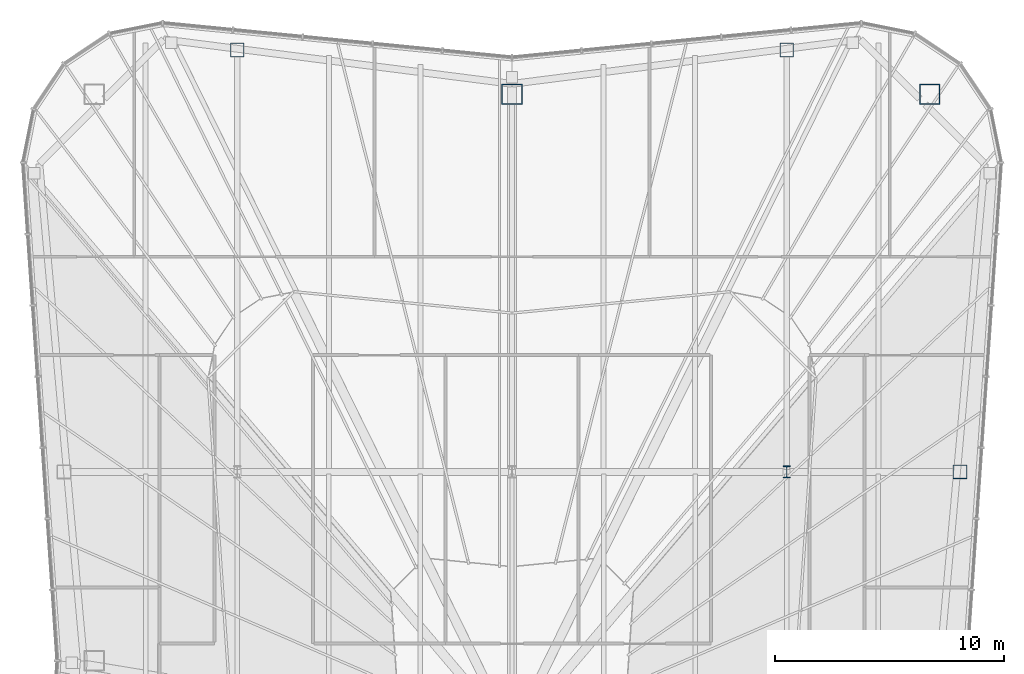
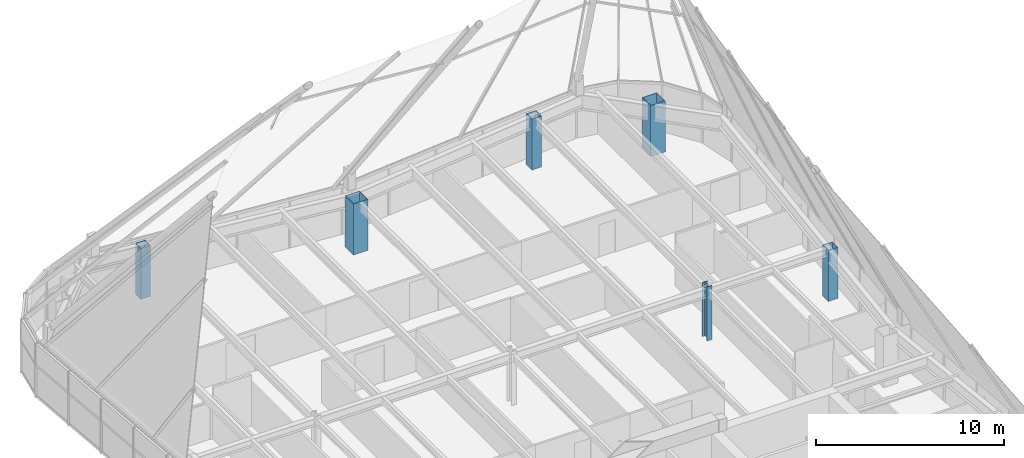
# One storey, part 2 of 28: 6 columns.
"""IFC4 building model written with IfcOpenShell, lengths in metres."""

from ifc_helpers import new_model, si_unit, direction, frame, origin, origin_2d, place, context, subcontext, project, spatial, hollow_rectangle, i_section, extrude, material, material_profile, profile_set, type_object, element, save


model = new_model("IFC4")

# Units and contexts
model_context = context("Model", 3, precision=1e-05, world=origin(), true_north=direction((0.0, 1.0)))
body_context = subcontext(model_context, "Body", "Model", "MODEL_VIEW")
ifc_project = project(units=[si_unit("LENGTHUNIT", "METRE"), si_unit("AREAUNIT", "SQUARE_METRE"), si_unit("VOLUMEUNIT", "CUBIC_METRE"), si_unit("PLANEANGLEUNIT", "RADIAN"), si_unit("MASSUNIT", "GRAM", prefix="KILO")], contexts=[model_context])

# Site, building, storey
site_placement = place(None, origin())
site = spatial("IfcSite", under=ifc_project, at=site_placement, CompositionType="ELEMENT")
building_placement = place(site_placement, origin())
building = spatial("IfcBuilding", under=site, at=building_placement, Name="Verdant Reach Tower", CompositionType="ELEMENT")
storey_placement = place(building_placement, frame((0.0, 0.0, 368.0)))
storey = spatial("IfcBuildingStorey", under=building, at=storey_placement, Name="L83 Crown plant", CompositionType="ELEMENT", Elevation=368.0)

# Columns
ifc_material = material(Name="Steel S460", Category="steel")
ifc_material_profile_1 = material_profile(ifc_material, i_section(OverallWidth=0.305908203125, OverallDepth=0.52392578125, WebThickness=0.012451171875, FlangeThickness=0.0400390625, FilletRadius=0.027099609375, at=origin_2d()), Name="HEM 500")
ifc_profile_set_1 = profile_set([ifc_material_profile_1], Name="Steel S460")
column_type_1 = type_object("IfcColumnType", Name="ST-COL-HEM500", PredefinedType="COLUMN", material=ifc_profile_set_1)
column_placement = place(storey_placement, frame((12.0, 49.5, 0.0), z_axis=(0.0, 0.0, 1.0), x_axis=(1.0, 0.0, 0.0)))
element("IfcColumn", 1, at=column_placement, inside=storey, type_object=column_type_1, Name="Interior column 3, L83 Crown plant", PredefinedType="COLUMN", context=body_context, shape_type="SweptSolid", body=[
    extrude(i_section(OverallWidth=0.305908203125, OverallDepth=0.52392578125, WebThickness=0.012451171875, FlangeThickness=0.0400390625, FilletRadius=0.027099609375, at=origin_2d()), origin(), (0.0, 0.0, 1.0), 3.5),
])
ifc_material_profile_2 = material_profile(ifc_material, hollow_rectangle(XDim=0.60009765625, YDim=0.60009765625, WallThickness=0.02490234375, at=origin_2d()), Name="WB 600x600x25")
ifc_profile_set_2 = profile_set([ifc_material_profile_2], Name="Steel S460")
column_type_2 = type_object("IfcColumnType", Name="ST-COL-WB600x600x25", PredefinedType="COLUMN", material=ifc_profile_set_2)
for number, where, z_axis, x_axis, name in (
    (2, (-12.0, 67.930419921875, 0.0), (0.0, 0.0, 1.0), (1.0, 0.0, 0.0), "Perimeter column north 1, L83 Crown plant"),
    (3, (12.0, 67.930419921875, 0.0), (0.0, 0.0, 1.0), (1.0, 0.0, 0.0), "Perimeter column north 2, L83 Crown plant"),
    (4, (19.569091796875, 49.5, 0.0), (0.0, 0.0, 1.0), (1.0, 0.0, 0.0), "Perimeter column east 2, L83 Crown plant"),
):
    element("IfcColumn", number, at=place(storey_placement, frame(where, z_axis=z_axis, x_axis=x_axis)), inside=storey, type_object=column_type_2, Name=name, PredefinedType="COLUMN", context=body_context, shape_type="SweptSolid", body=[
        extrude(hollow_rectangle(XDim=0.60009765625, YDim=0.60009765625, WallThickness=0.02490234375, at=origin_2d()), origin(), (0.0, 0.0, 1.0), 3.300048828125),
    ])
ifc_material_profile_3 = material_profile(ifc_material, hollow_rectangle(XDim=0.89990234375, YDim=0.89990234375, WallThickness=0.0400390625, at=origin_2d()), Name="WB 900x900x40")
ifc_profile_set_3 = profile_set([ifc_material_profile_3], Name="Steel S460")
column_type_3 = type_object("IfcColumnType", Name="ST-COL-WB900x900x40", PredefinedType="COLUMN", material=ifc_profile_set_3)
for number, where, z_axis, x_axis, name in (
    (5, (0.0, 66.0, 0.0), (0.0, 0.0, 1.0), (1.0, 0.0, 0.0), "Mega column north, L83 Crown plant"),
    (6, (18.25, 66.0, 0.0), (0.0, 0.0, 1.0), (1.0, 0.0, 0.0), "Mega column north-east, L83 Crown plant"),
):
    element("IfcColumn", number, at=place(storey_placement, frame(where, z_axis=z_axis, x_axis=x_axis)), inside=storey, type_object=column_type_3, Name=name, PredefinedType="COLUMN", context=body_context, shape_type="SweptSolid", body=[
        extrude(hollow_rectangle(XDim=0.89990234375, YDim=0.89990234375, WallThickness=0.0400390625, at=origin_2d()), origin(), (0.0, 0.0, 1.0), 3.300048828125),
    ])

save(model, "model.ifc")
